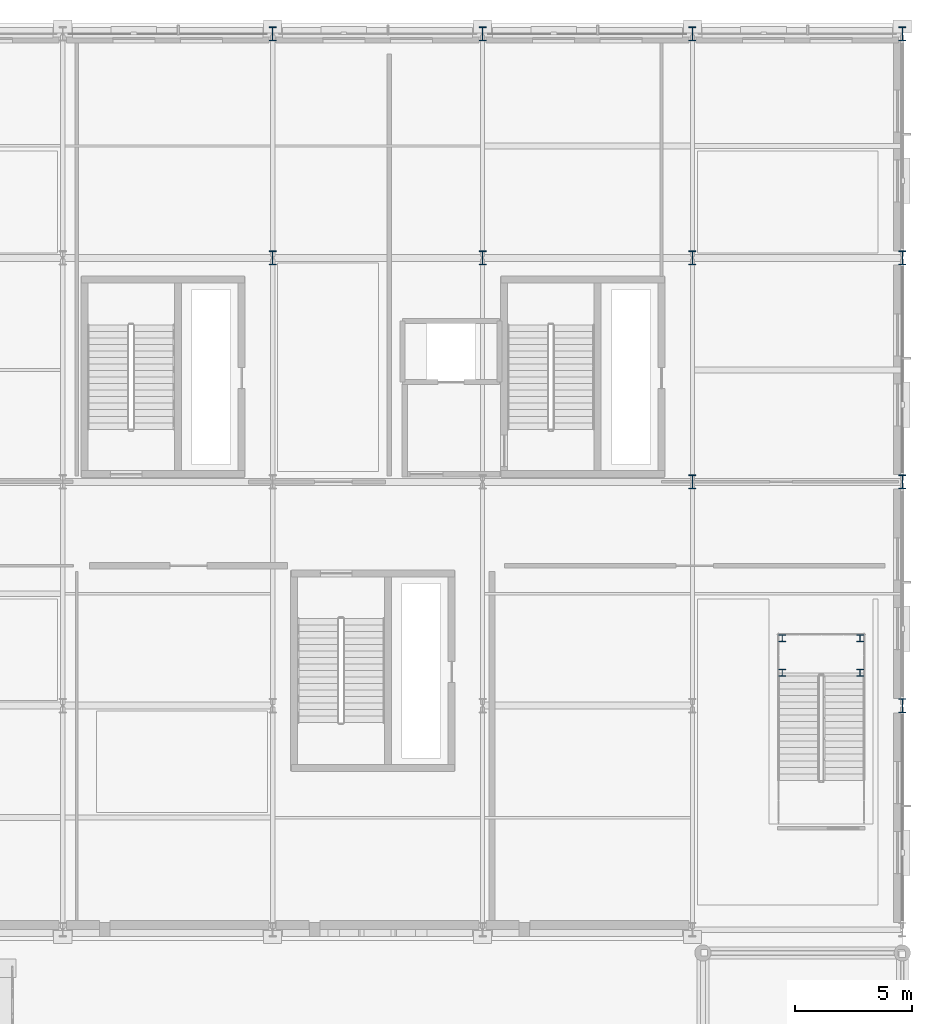
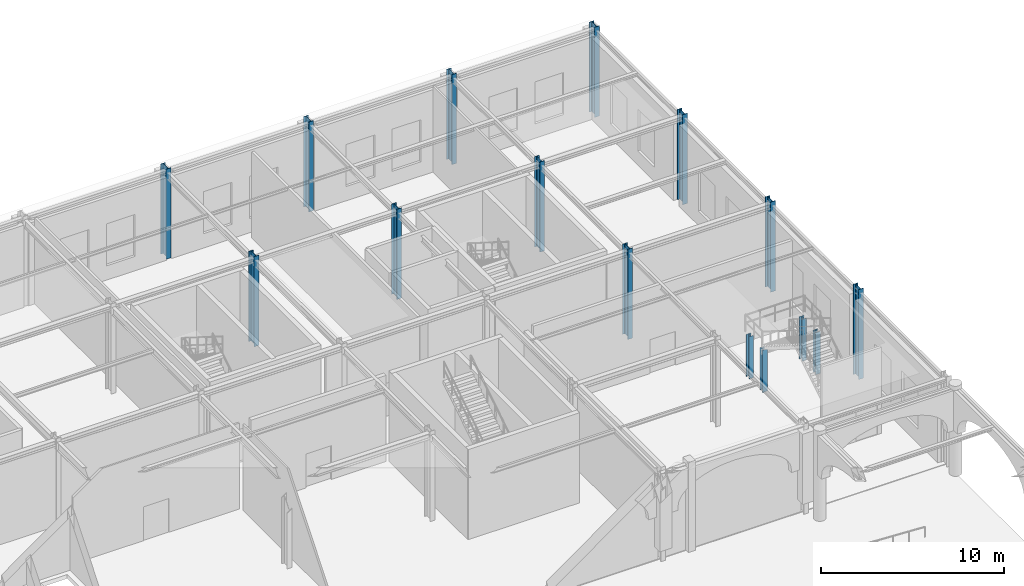
# One storey, part 24 of 113: 15 columns.
"""IFC4 building model written with IfcOpenShell, lengths in metres."""

from ifc_helpers import new_model, si_unit, direction, frame, origin, origin_2d, place, context, subcontext, project, spatial, i_section, extrude, material, material_profile, profile_set, type_object, element, save


model = new_model("IFC4")

# Units and contexts
model_context = context("Model", 3, precision=1e-05, world=origin(), true_north=direction((0.0, 1.0)))
body_context = subcontext(model_context, "Body", "Model", "MODEL_VIEW")
ifc_project = project(units=[si_unit("LENGTHUNIT", "METRE"), si_unit("AREAUNIT", "SQUARE_METRE"), si_unit("VOLUMEUNIT", "CUBIC_METRE"), si_unit("PLANEANGLEUNIT", "RADIAN"), si_unit("MASSUNIT", "GRAM", prefix="KILO")], contexts=[model_context])

# Site, building, storey
site_placement = place(None, origin())
site = spatial("IfcSite", under=ifc_project, at=site_placement, CompositionType="ELEMENT")
building_placement = place(site_placement, origin())
building = spatial("IfcBuilding", under=site, at=building_placement, Name="Myrtia Square Station", CompositionType="ELEMENT")
storey_placement = place(building_placement, origin())
storey = spatial("IfcBuildingStorey", under=building, at=storey_placement, Name="L00", CompositionType="ELEMENT", Elevation=0.0)

# Columns
ifc_material = material(Name="Steel S355", Category="steel")
ifc_material_profile_1 = material_profile(ifc_material, i_section(OverallWidth=0.300048828125, OverallDepth=0.300048828125, WebThickness=0.010986328125, FlangeThickness=0.01904296875, FilletRadius=0.027099609375, at=origin_2d()), Name="HEB 300")
ifc_profile_set_1 = profile_set([ifc_material_profile_1], Name="Steel S355")
column_type_1 = type_object("IfcColumnType", Name="COL-HEB300", PredefinedType="COLUMN", material=ifc_profile_set_1)
for number, where, z_axis, x_axis, name in (
    (1, (183.85009765625, 98.89990234375, 0.0), (0.0, 0.0, 1.0), (1.0, 0.0, 0.0), "Interchange stair landing post 8-WN"),
    (2, (183.85009765625, 97.419921875, 0.0), (0.0, 0.0, 1.0), (1.0, 0.0, 0.0), "Interchange stair landing post 8-WS"),
    (3, (187.18994140625, 98.89990234375, 0.0), (0.0, 0.0, 1.0), (1.0, 0.0, 0.0), "Interchange stair landing post 8-EN"),
    (4, (187.18994140625, 97.419921875, 0.0), (0.0, 0.0, 1.0), (1.0, 0.0, 0.0), "Interchange stair landing post 8-ES"),
):
    element("IfcColumn", number, at=place(storey_placement, frame(where, z_axis=z_axis, x_axis=x_axis)), inside=storey, type_object=column_type_1, Name=name, PredefinedType="COLUMN", context=body_context, shape_type="SweptSolid", body=[
        extrude(i_section(OverallWidth=0.300048828125, OverallDepth=0.300048828125, WebThickness=0.010986328125, FlangeThickness=0.01904296875, FilletRadius=0.027099609375, at=origin_2d()), origin(), (0.0, 0.0, 1.0), 2.800048828125),
    ])
ifc_material_profile_2 = material_profile(ifc_material, i_section(OverallWidth=0.300048828125, OverallDepth=0.60009765625, WebThickness=0.015380859375, FlangeThickness=0.030029296875, FilletRadius=0.027099609375, at=origin_2d()), Name="HEB 600")
ifc_profile_set_2 = profile_set([ifc_material_profile_2], Name="Steel S355")
column_type_2 = type_object("IfcColumnType", Name="COL-HEB600", PredefinedType="COLUMN", material=ifc_profile_set_2)
for number, where, z_axis, x_axis, name in (
    (5, (162.0, 115.199951171875, 0.0), (0.0, 0.0, 1.0), (1.0, 0.0, 0.0), "Column L00-0917"),
    (6, (162.0, 124.800048828125, 0.0), (0.0, 0.0, 1.0), (1.0, 0.0, 0.0), "Column L00-0923"),
    (7, (171.0, 115.199951171875, 0.0), (0.0, 0.0, 1.0), (1.0, 0.0, 0.0), "Column L00-0947"),
    (8, (171.0, 124.800048828125, 0.0), (0.0, 0.0, 1.0), (1.0, 0.0, 0.0), "Column L00-0953"),
    (9, (180.0, 105.60009765625, 0.0), (0.0, 0.0, 1.0), (1.0, 0.0, 0.0), "Column L00-0971"),
    (10, (180.0, 115.199951171875, 0.0), (0.0, 0.0, 1.0), (1.0, 0.0, 0.0), "Column L00-0977"),
    (11, (180.0, 124.800048828125, 0.0), (0.0, 0.0, 1.0), (1.0, 0.0, 0.0), "Column L00-0983"),
    (12, (189.0, 96.0, 0.0), (0.0, 0.0, 1.0), (1.0, 0.0, 0.0), "Column L00-0995"),
    (13, (189.0, 105.60009765625, 0.0), (0.0, 0.0, 1.0), (1.0, 0.0, 0.0), "Column L00-1001"),
    (14, (189.0, 115.199951171875, 0.0), (0.0, 0.0, 1.0), (1.0, 0.0, 0.0), "Column L00-1007"),
    (15, (189.0, 124.800048828125, 0.0), (0.0, 0.0, 1.0), (1.0, 0.0, 0.0), "Column L00-1013"),
):
    element("IfcColumn", number, at=place(storey_placement, frame(where, z_axis=z_axis, x_axis=x_axis)), inside=storey, type_object=column_type_2, Name=name, PredefinedType="COLUMN", context=body_context, shape_type="SweptSolid", body=[
        extrude(i_section(OverallWidth=0.300048828125, OverallDepth=0.60009765625, WebThickness=0.015380859375, FlangeThickness=0.030029296875, FilletRadius=0.027099609375, at=origin_2d()), origin(), (0.0, 0.0, 1.0), 6.0),
    ])

save(model, "model.ifc")
